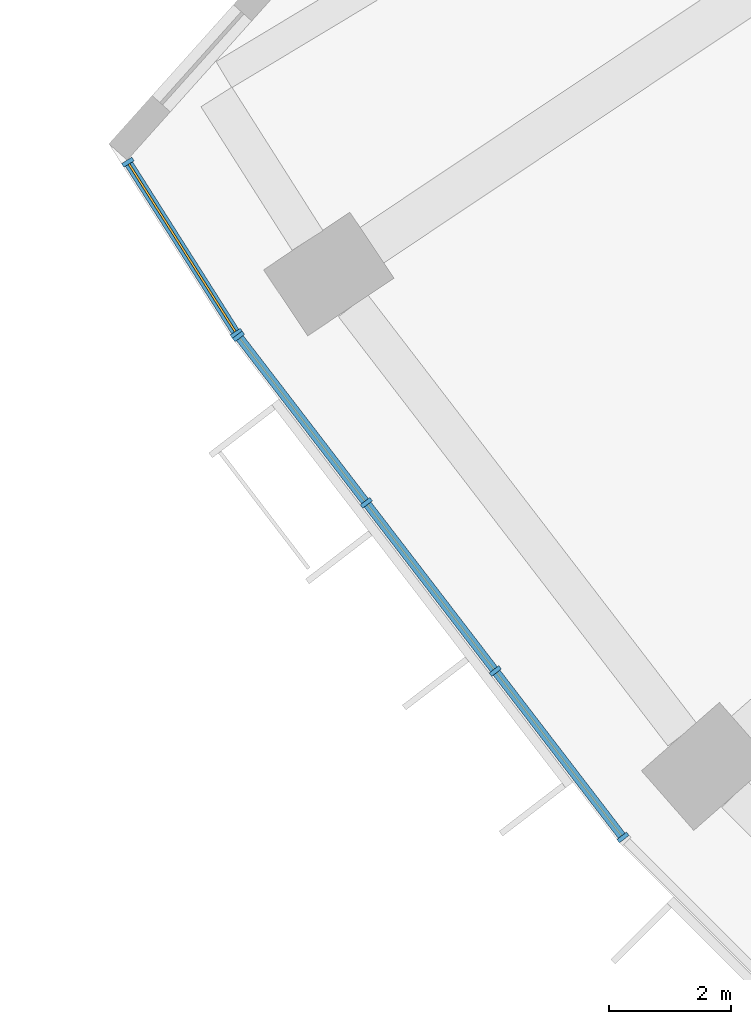
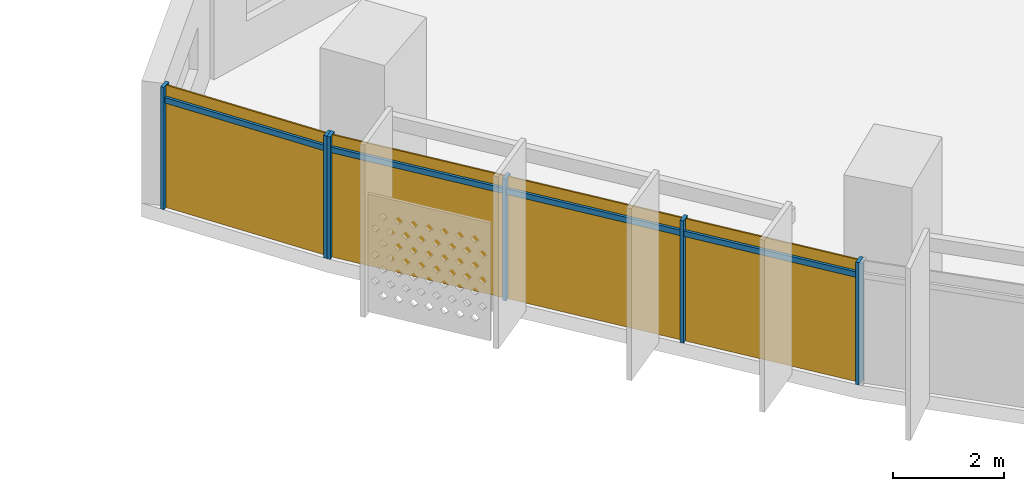
# One storey, part 20 of 31: 10 members, 2 curtain walls.
"""IFC4 building model written with IfcOpenShell, lengths in metres."""

from ifc_helpers import new_model, si_unit, direction, frame, origin, origin_2d, place, context, subcontext, project, spatial, rectangle, extrude, material, material_profile, profile_set, type_object, element, aggregate, save


model = new_model("IFC4")

# Units and contexts
model_context = context("Model", 3, precision=1e-05, world=origin(), true_north=direction((0.0, 1.0)))
body_context = subcontext(model_context, "Body", "Model", "MODEL_VIEW")
ifc_project = project(units=[si_unit("LENGTHUNIT", "METRE"), si_unit("AREAUNIT", "SQUARE_METRE"), si_unit("VOLUMEUNIT", "CUBIC_METRE"), si_unit("PLANEANGLEUNIT", "RADIAN"), si_unit("MASSUNIT", "GRAM", prefix="KILO")], contexts=[model_context])

# Member
ifc_material = material(Name="Aluminium 6063-T6 anodised", Category="aluminium")
ifc_material_profile_1 = material_profile(ifc_material, rectangle(XDim=0.199951171875, YDim=0.070068359375, at=origin_2d()))
ifc_profile_set_1 = profile_set([ifc_material_profile_1], Name="Aluminium 6063-T6 anodised")
member_type_1 = type_object("IfcMemberType", Name="Mullion 70 x 200 aluminium", PredefinedType="MULLION", material=ifc_profile_set_1)
site_placement = place(None, origin())
building_placement = place(site_placement, origin())
storey_placement = place(building_placement, frame((0.0, 0.0, 86.10009765625)))
member_1_placement = place(storey_placement, frame((-67.93994140625, -41.363525390625, 0.0), z_axis=(0.0, 0.0, 1.0), x_axis=(0.844405785473, 0.535704087589, 0.0)))
member_1 = element("IfcMember", 1, at=member_1_placement, type_object=member_type_1, Name="e-cw1-L18-out00/M00", PredefinedType="MULLION", context=body_context, shape_type="SweptSolid", body=[
    extrude(rectangle(XDim=0.199951171875, YDim=0.070068359375, at=origin_2d()), origin(), (0.0, 0.0, 1.0), 2.699951171875),
])

member_2_placement = place(storey_placement, frame((-66.160888671875, -44.16796875, 0.0), z_axis=(0.0, 0.0, 1.0), x_axis=(0.844405785473, 0.535704087589, 0.0)))
member_2 = element("IfcMember", 2, at=member_2_placement, type_object=member_type_1, Name="e-cw1-L18-out00/M01", PredefinedType="MULLION", context=body_context, shape_type="SweptSolid", body=[
    extrude(rectangle(XDim=0.199951171875, YDim=0.070068359375, at=origin_2d()), origin(), (0.0, 0.0, 1.0), 2.699951171875),
])

member_3_placement = place(storey_placement, frame((-66.1259765625, -44.218017578125, 0.0), z_axis=(0.0, 0.0, 1.0), x_axis=(0.793353340291, 0.608761429009, 0.0)))
member_3 = element("IfcMember", 3, at=member_3_placement, type_object=member_type_1, Name="e-cw1-L18-out01/M00", PredefinedType="MULLION", context=body_context, shape_type="SweptSolid", body=[
    extrude(rectangle(XDim=0.199951171875, YDim=0.070068359375, at=origin_2d()), origin(), (0.0, 0.0, 1.0), 2.699951171875),
])

member_4_placement = place(storey_placement, frame((-64.032958984375, -46.945556640625, 0.0), z_axis=(0.0, 0.0, 1.0), x_axis=(0.793353340291, 0.608761429009, 0.0)))
member_4 = element("IfcMember", 4, at=member_4_placement, type_object=member_type_1, Name="e-cw1-L18-out01/M01", PredefinedType="MULLION", context=body_context, shape_type="SweptSolid", body=[
    extrude(rectangle(XDim=0.199951171875, YDim=0.070068359375, at=origin_2d()), origin(), (0.0, 0.0, 1.0), 2.699951171875),
])

member_5_placement = place(storey_placement, frame((-61.9189453125, -49.70068359375, 0.0), z_axis=(0.0, 0.0, 1.0), x_axis=(0.793353340291, 0.608761429009, 0.0)))
member_5 = element("IfcMember", 5, at=member_5_placement, type_object=member_type_1, Name="e-cw1-L18-out01/M02", PredefinedType="MULLION", context=body_context, shape_type="SweptSolid", body=[
    extrude(rectangle(XDim=0.199951171875, YDim=0.070068359375, at=origin_2d()), origin(), (0.0, 0.0, 1.0), 2.699951171875),
])

member_6_placement = place(storey_placement, frame((-59.825927734375, -52.42822265625, 0.0), z_axis=(0.0, 0.0, 1.0), x_axis=(0.793353340291, 0.608761429009, 0.0)))
member_6 = element("IfcMember", 6, at=member_6_placement, type_object=member_type_1, Name="e-cw1-L18-out01/M03", PredefinedType="MULLION", context=body_context, shape_type="SweptSolid", body=[
    extrude(rectangle(XDim=0.199951171875, YDim=0.070068359375, at=origin_2d()), origin(), (0.0, 0.0, 1.0), 2.699951171875),
])

ifc_material_profile_2 = material_profile(ifc_material, rectangle(XDim=0.139892578125, YDim=0.1201171875, at=origin_2d()))
ifc_profile_set_2 = profile_set([ifc_material_profile_2], Name="Aluminium 6063-T6 anodised")
member_type_2 = type_object("IfcMemberType", Name="Transom 120 x 140 aluminium", PredefinedType="USERDEFINED", material=ifc_profile_set_2)
member_7_placement = place(storey_placement, frame((-67.92138671875, -41.39306640625, 2.39990234375), z_axis=(0.535703986683, -0.844405849489, 0.0), x_axis=(0.844405849489, 0.535703986683, 0.0)))
member_7 = element("IfcMember", 7, at=member_7_placement, type_object=member_type_2, Name="e-cw1-L18-out00/T00", ObjectType="TRANSOM", PredefinedType="USERDEFINED", context=body_context, shape_type="SweptSolid", body=[
    extrude(rectangle(XDim=0.139892578125, YDim=0.1201171875, at=origin_2d()), origin(), (0.0, 0.0, 1.0), 3.251220703125),
])

member_8_placement = place(storey_placement, frame((-66.1044921875, -44.245849609375, 2.39990234375), z_axis=(0.608732839803, -0.793375276742, 0.0), x_axis=(0.793375276742, 0.608732839803, 0.0)))
member_8 = element("IfcMember", 8, at=member_8_placement, type_object=member_type_2, Name="e-cw1-L18-out01/T00", ObjectType="TRANSOM", PredefinedType="USERDEFINED", context=body_context, shape_type="SweptSolid", body=[
    extrude(rectangle(XDim=0.139892578125, YDim=0.1201171875, at=origin_2d()), origin(), (0.0, 0.0, 1.0), 3.36767578125),
])

member_9_placement = place(storey_placement, frame((-64.01171875, -46.973388671875, 2.39990234375), z_axis=(0.60875683052, -0.793356868815, 0.0), x_axis=(0.793356868815, 0.60875683052, 0.0)))
member_9 = element("IfcMember", 9, at=member_9_placement, type_object=member_type_2, Name="e-cw1-L18-out01/T01", ObjectType="TRANSOM", PredefinedType="USERDEFINED", context=body_context, shape_type="SweptSolid", body=[
    extrude(rectangle(XDim=0.139892578125, YDim=0.1201171875, at=origin_2d()), origin(), (0.0, 0.0, 1.0), 3.40283203125),
])

member_10_placement = place(storey_placement, frame((-61.8974609375, -49.728515625, 2.39990234375), z_axis=(0.608732839803, -0.793375276742, 0.0), x_axis=(0.793375276742, 0.608732839803, 0.0)))
member_10 = element("IfcMember", 10, at=member_10_placement, type_object=member_type_2, Name="e-cw1-L18-out01/T02", ObjectType="TRANSOM", PredefinedType="USERDEFINED", context=body_context, shape_type="SweptSolid", body=[
    extrude(rectangle(XDim=0.139892578125, YDim=0.1201171875, at=origin_2d()), origin(), (0.0, 0.0, 1.0), 3.36767578125),
])

# Site, building, storey
site = spatial("IfcSite", under=ifc_project, at=site_placement, CompositionType="ELEMENT")
building = spatial("IfcBuilding", under=site, at=building_placement, Name="Qamariyya Broadcast Tower", CompositionType="ELEMENT")
storey = spatial("IfcBuildingStorey", under=building, at=storey_placement, Name="L18", CompositionType="ELEMENT", Elevation=86.10009765625)

# Curtain wall
curtain_wall_type = type_object("IfcCurtainWallType", Name="Unitised curtain wall, anodised aluminium", PredefinedType="NOTDEFINED", material=ifc_material)
curtain_wall_1_placement = place(storey_placement, origin())
curtain_wall_1 = element("IfcCurtainWall", 11, at=curtain_wall_1_placement, inside=storey, type_object=curtain_wall_type, Name="e-cw1-L18-out00", PredefinedType="NOTDEFINED", context=body_context, shape_type="SweptSolid", body=[
    extrude(rectangle(XDim=3.251220703125, YDim=0.031982421875, at=origin_2d()), frame((-67.05029296875, -42.765625, 0.0), x_axis=(0.53570106056, -0.84440770586, 0.0)), (0.0, 0.0, 1.0), 2.340087890625),
    extrude(rectangle(XDim=3.251220703125, YDim=0.031982421875, at=origin_2d()), frame((-67.05029296875, -42.765625, 2.4599609375), x_axis=(0.53570106056, -0.84440770586, 0.0)), (0.0, 0.0, 1.0), 0.239990234375),
])

aggregate(curtain_wall_1, [member_1, member_2, member_7])

curtain_wall_2_placement = place(storey_placement, origin())
curtain_wall_2 = element("IfcCurtainWall", 12, at=curtain_wall_2_placement, inside=storey, type_object=curtain_wall_type, Name="e-cw1-L18-out01", PredefinedType="NOTDEFINED", context=body_context, shape_type="SweptSolid", body=[
    extrude(rectangle(XDim=3.367919921875, YDim=0.031982421875, at=origin_2d()), frame((-65.07958984375, -45.581787109375, 0.0), x_axis=(0.608755679475, -0.79335775203, 0.0)), (0.0, 0.0, 1.0), 2.340087890625),
    extrude(rectangle(XDim=3.367919921875, YDim=0.031982421875, at=origin_2d()), frame((-65.07958984375, -45.581787109375, 2.4599609375), x_axis=(0.608755679475, -0.79335775203, 0.0)), (0.0, 0.0, 1.0), 0.239990234375),
    extrude(rectangle(XDim=3.40283203125, YDim=0.031982421875, at=origin_2d()), frame((-62.97607421875, -48.3232421875, 0.0), x_axis=(0.608755679475, -0.79335775203, 0.0)), (0.0, 0.0, 1.0), 2.340087890625),
    extrude(rectangle(XDim=3.40283203125, YDim=0.031982421875, at=origin_2d()), frame((-62.97607421875, -48.3232421875, 2.4599609375), x_axis=(0.608755679475, -0.79335775203, 0.0)), (0.0, 0.0, 1.0), 0.239990234375),
    extrude(rectangle(XDim=3.367919921875, YDim=0.031982421875, at=origin_2d()), frame((-60.872314453125, -51.064453125, 0.0), x_axis=(0.608755679475, -0.79335775203, 0.0)), (0.0, 0.0, 1.0), 2.340087890625),
    extrude(rectangle(XDim=3.367919921875, YDim=0.031982421875, at=origin_2d()), frame((-60.872314453125, -51.064453125, 2.4599609375), x_axis=(0.608755679475, -0.79335775203, 0.0)), (0.0, 0.0, 1.0), 0.239990234375),
])

aggregate(curtain_wall_2, [member_3, member_4, member_5, member_6, member_8, member_9, member_10])

save(model, "model.ifc")
